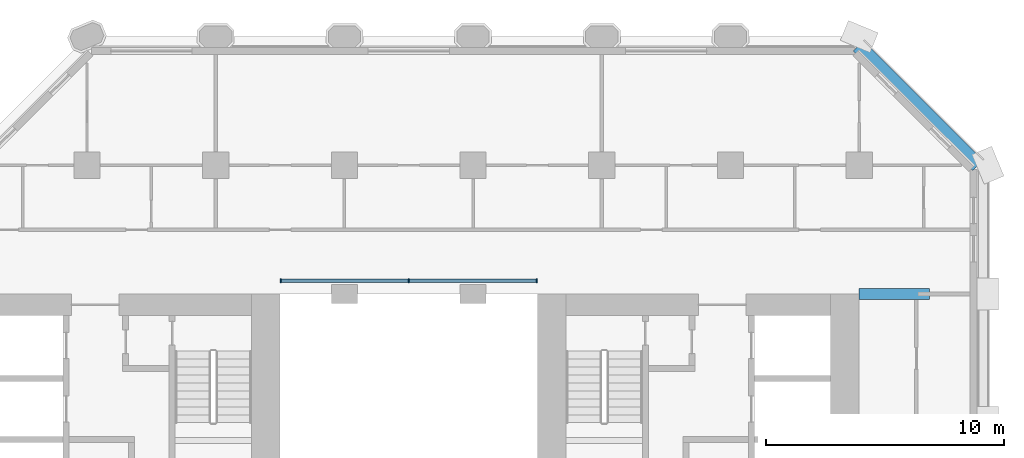
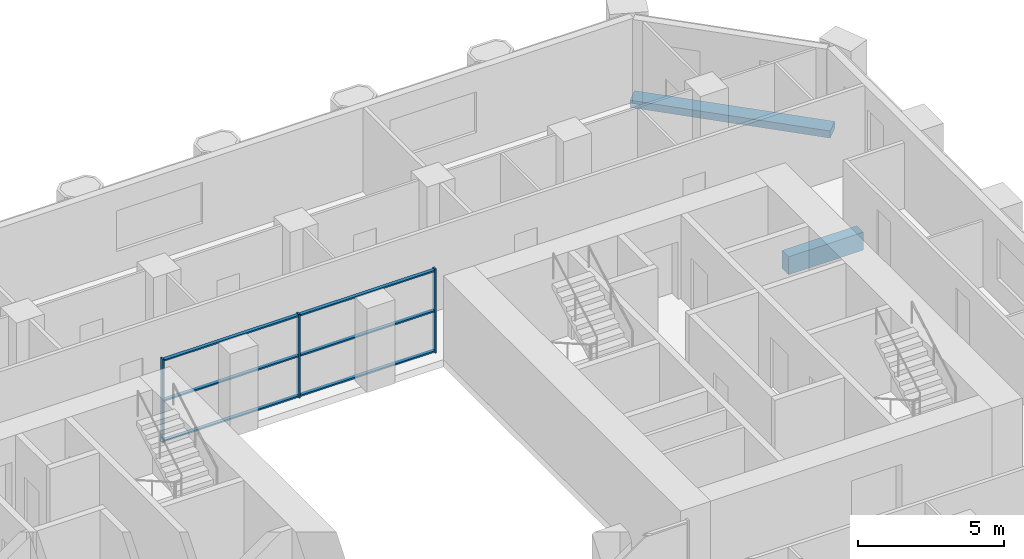
# One storey, part 6 of 13: 9 members, 2 beams, 1 element without a shape of its own.
"""IFC4 building model written with IfcOpenShell, lengths in metres."""

from ifc_helpers import new_model, si_unit, direction, frame, origin, origin_2d, place, context, subcontext, project, spatial, rectangle, extrude, material, material_profile, profile_set, type_object, element, aggregate, save


model = new_model("IFC4")

# Units and contexts
model_context = context("Model", 3, precision=1e-05, world=origin(), true_north=direction((0.0, 1.0)))
body_context = subcontext(model_context, "Body", "Model", "MODEL_VIEW")
ifc_project = project(units=[si_unit("LENGTHUNIT", "METRE"), si_unit("AREAUNIT", "SQUARE_METRE"), si_unit("VOLUMEUNIT", "CUBIC_METRE"), si_unit("PLANEANGLEUNIT", "RADIAN"), si_unit("MASSUNIT", "GRAM", prefix="KILO")], contexts=[model_context])

# Site, building, storey
site_placement = place(None, origin())
site = spatial("IfcSite", under=ifc_project, at=site_placement, CompositionType="ELEMENT")
building_placement = place(site_placement, origin())
building = spatial("IfcBuilding", under=site, at=building_placement, Name="Tabaq Tower and Sports Hall", CompositionType="ELEMENT")
storey_placement = place(building_placement, frame((0.0, 0.0, 45.0)))
storey = spatial("IfcBuildingStorey", under=building, at=storey_placement, Name="L09", CompositionType="ELEMENT", Elevation=45.0)

# Curtain wall, members
ifc_material_1 = material(Name="Aluminium alloy 6063-T6 framed glazing", Category="aluminium")
curtain_wall_type = type_object("IfcCurtainWallType", Name="CW1 curtain wall", PredefinedType="USERDEFINED", material=ifc_material_1)
curtain_wall_placement = place(storey_placement, origin())
curtain_wall = element("IfcCurtainWall", 1, at=curtain_wall_placement, inside=storey, type_object=curtain_wall_type, Name="Atrium glazing L09 N", ObjectType="ATRIUM ENCLOSURE", PredefinedType="USERDEFINED")
ifc_material_2 = material(Name="Aluminium alloy 6063-T6", Category="aluminium")
ifc_material_profile_1 = material_profile(ifc_material_2, rectangle(XDim=0.159912109375, YDim=0.06005859375, at=origin_2d()), Name="MULLION 160x60")
ifc_profile_set_1 = profile_set([ifc_material_profile_1], Name="Aluminium alloy 6063-T6")
member_type_1 = type_object("IfcMemberType", Name="CW1 mullion 160x60", PredefinedType="MULLION", material=ifc_profile_set_1)
member_1_placement = place(storey_placement, frame((18.929931640625, 32.949951171875, 0.0), z_axis=(0.0, 0.0, 1.0), x_axis=(0.0, 1.0, 0.0)))
member_1 = element("IfcMember", 2, at=member_1_placement, type_object=member_type_1, Name="CW1 mullion 1", PredefinedType="MULLION", context=body_context, shape_type="SweptSolid", body=[
    extrude(rectangle(XDim=0.159912109375, YDim=0.06005859375, at=origin_2d()), origin(), (0.0, 0.0, 1.0), 3.5),
])
member_2_placement = place(storey_placement, frame((24.300048828125, 32.949951171875, 0.0), z_axis=(0.0, 0.0, 1.0), x_axis=(0.0, 1.0, 0.0)))
member_2 = element("IfcMember", 3, at=member_2_placement, type_object=member_type_1, Name="CW1 mullion 2", PredefinedType="MULLION", context=body_context, shape_type="SweptSolid", body=[
    extrude(rectangle(XDim=0.159912109375, YDim=0.06005859375, at=origin_2d()), origin(), (0.0, 0.0, 1.0), 3.5),
])
member_3_placement = place(storey_placement, frame((29.669921875, 32.949951171875, 0.0), z_axis=(0.0, 0.0, 1.0), x_axis=(0.0, 1.0, 0.0)))
member_3 = element("IfcMember", 4, at=member_3_placement, type_object=member_type_1, Name="CW1 mullion 3", PredefinedType="MULLION", context=body_context, shape_type="SweptSolid", body=[
    extrude(rectangle(XDim=0.159912109375, YDim=0.06005859375, at=origin_2d()), origin(), (0.0, 0.0, 1.0), 3.5),
])
ifc_material_3 = material(Name="Aluminium alloy 6063-T6", Category="aluminium")
ifc_material_profile_2 = material_profile(ifc_material_3, rectangle(XDim=0.139892578125, YDim=0.06005859375, at=origin_2d()), Name="TRANSOM 140x60")
ifc_profile_set_2 = profile_set([ifc_material_profile_2], Name="Aluminium alloy 6063-T6")
member_type_2 = type_object("IfcMemberType", Name="CW1 transom 140x60", PredefinedType="USERDEFINED", material=ifc_profile_set_2)
member_4_placement = place(storey_placement, frame((18.9599609375, 32.949951171875, 0.070068359375), z_axis=(1.0, 0.0, 0.0), x_axis=(0.0, 1.0, 0.0)))
member_4 = element("IfcMember", 5, at=member_4_placement, type_object=member_type_2, Name="CW1 transom 1.1", ObjectType="TRANSOM", PredefinedType="USERDEFINED", context=body_context, shape_type="SweptSolid", body=[
    extrude(rectangle(XDim=0.139892578125, YDim=0.06005859375, at=origin_2d()), origin(), (0.0, 0.0, 1.0), 5.31005859375),
])
member_5_placement = place(storey_placement, frame((18.9599609375, 32.949951171875, 1.75), z_axis=(1.0, 0.0, 0.0), x_axis=(0.0, 1.0, 0.0)))
member_5 = element("IfcMember", 6, at=member_5_placement, type_object=member_type_2, Name="CW1 transom 1.2", ObjectType="TRANSOM", PredefinedType="USERDEFINED", context=body_context, shape_type="SweptSolid", body=[
    extrude(rectangle(XDim=0.139892578125, YDim=0.06005859375, at=origin_2d()), origin(), (0.0, 0.0, 1.0), 5.31005859375),
])
member_6_placement = place(storey_placement, frame((18.9599609375, 32.949951171875, 3.429931640625), z_axis=(1.0, 0.0, 0.0), x_axis=(0.0, 1.0, 0.0)))
member_6 = element("IfcMember", 7, at=member_6_placement, type_object=member_type_2, Name="CW1 transom 1.3", ObjectType="TRANSOM", PredefinedType="USERDEFINED", context=body_context, shape_type="SweptSolid", body=[
    extrude(rectangle(XDim=0.139892578125, YDim=0.06005859375, at=origin_2d()), origin(), (0.0, 0.0, 1.0), 5.31005859375),
])
member_7_placement = place(storey_placement, frame((24.330078125, 32.949951171875, 0.070068359375), z_axis=(1.0, 0.0, 0.0), x_axis=(0.0, 1.0, 0.0)))
member_7 = element("IfcMember", 8, at=member_7_placement, type_object=member_type_2, Name="CW1 transom 2.1", ObjectType="TRANSOM", PredefinedType="USERDEFINED", context=body_context, shape_type="SweptSolid", body=[
    extrude(rectangle(XDim=0.139892578125, YDim=0.06005859375, at=origin_2d()), origin(), (0.0, 0.0, 1.0), 5.309814453125),
])
member_8_placement = place(storey_placement, frame((24.330078125, 32.949951171875, 1.75), z_axis=(1.0, 0.0, 0.0), x_axis=(0.0, 1.0, 0.0)))
member_8 = element("IfcMember", 9, at=member_8_placement, type_object=member_type_2, Name="CW1 transom 2.2", ObjectType="TRANSOM", PredefinedType="USERDEFINED", context=body_context, shape_type="SweptSolid", body=[
    extrude(rectangle(XDim=0.139892578125, YDim=0.06005859375, at=origin_2d()), origin(), (0.0, 0.0, 1.0), 5.309814453125),
])
member_9_placement = place(storey_placement, frame((24.330078125, 32.949951171875, 3.429931640625), z_axis=(1.0, 0.0, 0.0), x_axis=(0.0, 1.0, 0.0)))
member_9 = element("IfcMember", 10, at=member_9_placement, type_object=member_type_2, Name="CW1 transom 2.3", ObjectType="TRANSOM", PredefinedType="USERDEFINED", context=body_context, shape_type="SweptSolid", body=[
    extrude(rectangle(XDim=0.139892578125, YDim=0.06005859375, at=origin_2d()), origin(), (0.0, 0.0, 1.0), 5.309814453125),
])
aggregate(curtain_wall, [member_1, member_2, member_3, member_4, member_5, member_6, member_7, member_8, member_9])

# Beams
ifc_material_4 = material(Name="Concrete C40/50", Category="concrete")
ifc_material_profile_3 = material_profile(ifc_material_4, rectangle(XDim=0.449951171875, YDim=0.75, at=origin_2d()), Name="CB 450x750")
ifc_profile_set_3 = profile_set([ifc_material_profile_3], Name="Concrete C40/50")
beam_type_1 = type_object("IfcBeamType", Name="PT CANTILEVER BEAM CB 450x750 C40/50", PredefinedType="BEAM", material=ifc_profile_set_3)
beam_1_placement = place(storey_placement, frame((46.14990234375, 32.39990234375, -0.675048828125), z_axis=(-1.0, 0.0, 0.0), x_axis=(0.0, -1.0, 0.0)))
element("IfcBeam", 11, at=beam_1_placement, inside=storey, type_object=beam_type_1, Name="Cantilever Beam L09 E6 span 1", PredefinedType="BEAM", context=body_context, shape_type="SweptSolid", body=[
    extrude(rectangle(XDim=0.449951171875, YDim=0.75, at=origin_2d()), origin(), (0.0, 0.0, 1.0), 2.949951171875),
])
ifc_material_5 = material(Name="Concrete C40/50", Category="concrete")
ifc_material_profile_4 = material_profile(ifc_material_5, rectangle(XDim=0.60009765625, YDim=0.300048828125, at=origin_2d()), Name="EB 600x300")
ifc_profile_set_4 = profile_set([ifc_material_profile_4], Name="Concrete C40/50")
beam_type_2 = type_object("IfcBeamType", Name="PT EDGE BEAM EB 600x300 C40/50", PredefinedType="SPANDREL", material=ifc_profile_set_4)
beam_2_placement = place(storey_placement, frame((48.1767578125, 37.799072265625, -0.14990234375), z_axis=(-0.707124002701, 0.707089559252, 0.0), x_axis=(-0.707089559252, -0.707124002701, 0.0)))
element("IfcBeam", 12, at=beam_2_placement, inside=storey, type_object=beam_type_2, Name="Edge Beam L09 4", PredefinedType="SPANDREL", context=body_context, shape_type="SweptSolid", body=[
    extrude(rectangle(XDim=0.60009765625, YDim=0.300048828125, at=origin_2d()), origin(), (0.0, 0.0, 1.0), 7.088134765625),
])

save(model, "model.ifc")
